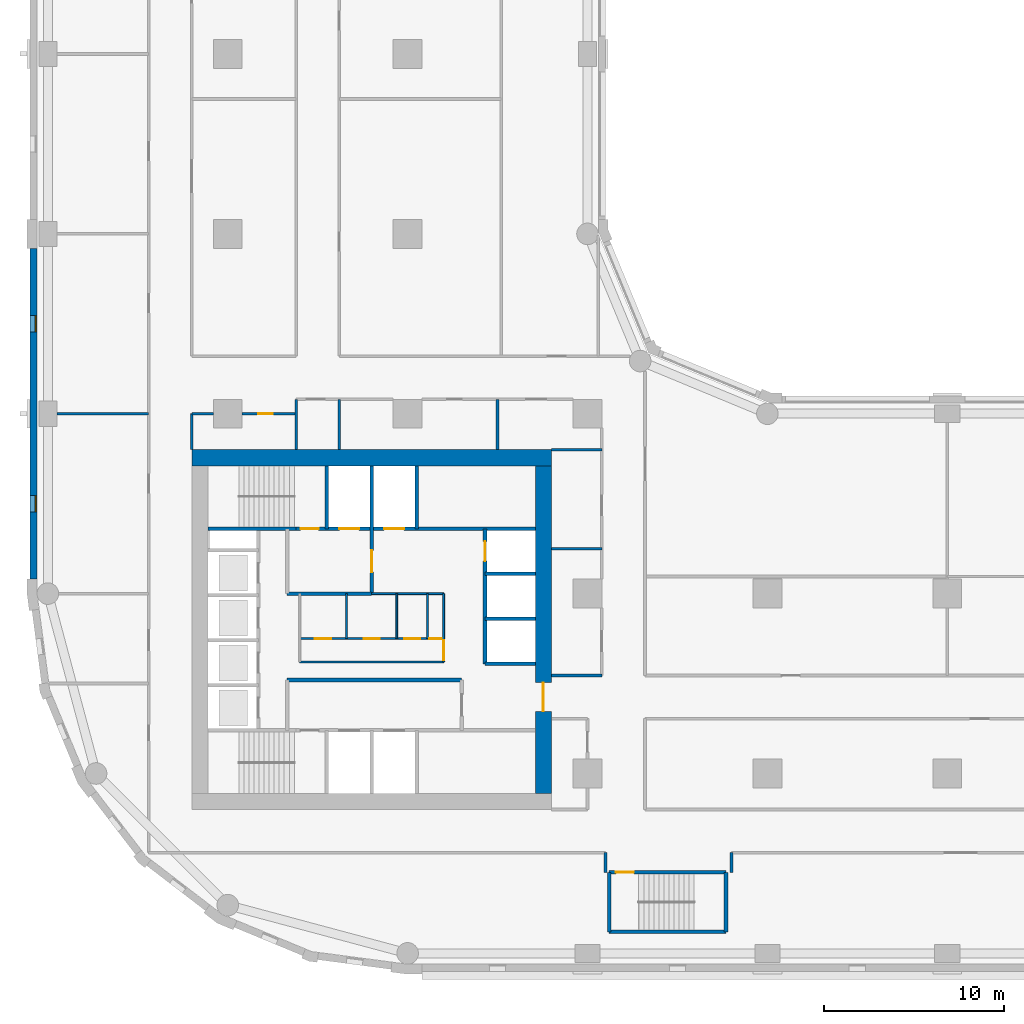
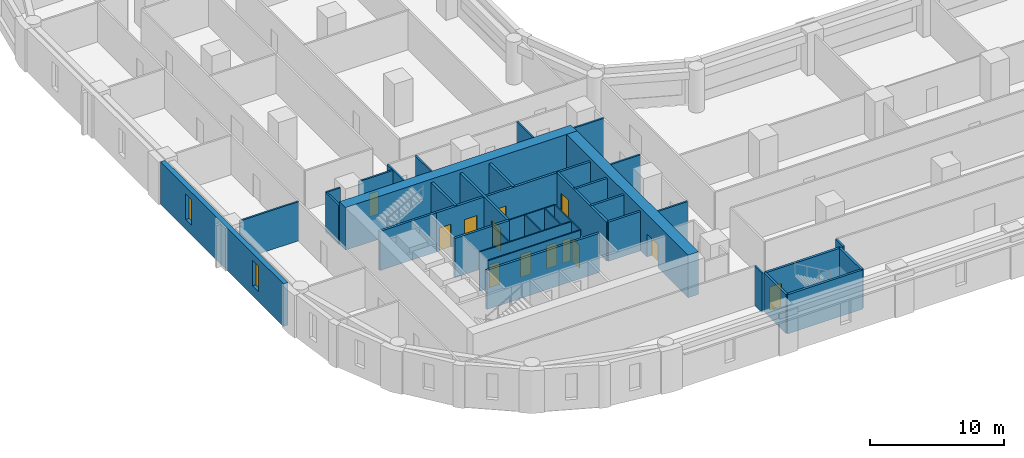
# One storey, part 3 of 10: 37 walls, 13 doors, 2 windows, 15 openings.
"""IFC4 building model written with IfcOpenShell, lengths in metres."""

from ifc_helpers import new_model, si_unit, direction, frame, frame_2d, origin, place, context, subcontext, project, spatial, rectangle, extrude, material, layer, layer_set, type_object, element, fill, save


model = new_model("IFC4")

# Units and contexts
model_context = context("Model", 3, precision=1e-05, world=origin(), true_north=direction((0.0, 1.0)))
body_context = subcontext(model_context, "Body", "Model", "MODEL_VIEW")
ifc_project = project(units=[si_unit("LENGTHUNIT", "METRE"), si_unit("AREAUNIT", "SQUARE_METRE"), si_unit("VOLUMEUNIT", "CUBIC_METRE"), si_unit("PLANEANGLEUNIT", "RADIAN"), si_unit("MASSUNIT", "GRAM", prefix="KILO")], contexts=[model_context])

# Site, building, storey
site_placement = place(None, origin())
site = spatial("IfcSite", under=ifc_project, at=site_placement, CompositionType="ELEMENT")
building_placement = place(site_placement, origin())
building = spatial("IfcBuilding", under=site, at=building_placement, Name="Qaws Garden Tower", CompositionType="ELEMENT")
storey_placement = place(building_placement, frame((0.0, 0.0, 12.0)))
storey = spatial("IfcBuildingStorey", under=building, at=storey_placement, Name="L02", CompositionType="ELEMENT", Elevation=12.0)

# Wall, openings, windows
ifc_material_1 = material(Name="Clay facing brick masonry", Category="masonry")
ifc_layer_1 = layer(ifc_material_1, 0.39990234375)
ifc_layer_set_1 = layer_set([ifc_layer_1], Name="Clay facing brick masonry")
wall_type_1 = type_object("IfcWallType", Name="Brick infill wall 400", PredefinedType="SOLIDWALL", material=ifc_layer_set_1)
wall_1_placement = place(storey_placement, frame((-0.800048828125, 39.199951171875, 0.0), z_axis=(0.0, 0.0, 1.0), x_axis=(0.0, -1.0, 0.0)))
wall_1 = element("IfcWall", 1, at=wall_1_placement, inside=storey, type_object=wall_type_1, Name="E-L02-infill-25", PredefinedType="SOLIDWALL", context=body_context, shape_type="SweptSolid", body=[
    extrude(rectangle(XDim=18.39990234375, YDim=0.39990234375, at=frame_2d((9.199951171875, 0.0))), origin(), (0.0, 0.0, 1.0), 3.89990234375),
])
opening_1_placement = place(wall_1_placement, frame((3.75, 0.0, 0.89990234375)))
opening_1 = element("IfcOpeningElement", 2, at=opening_1_placement, cuts=wall_1, Name="Opening W09", PredefinedType="OPENING", context=body_context, shape_type="SweptSolid", body=[
    extrude(rectangle(XDim=0.89990234375, YDim=2.35009765625, at=frame_2d((0.449951171875, 1.175048828125))), frame((0.0, 0.2099609375, 0.0), z_axis=(0.0, -1.0, 0.0), x_axis=(1.0, 0.0, 0.0)), (0.0, 0.0, 1.0), 0.419921875),
])
opening_2_placement = place(wall_1_placement, frame((13.75, 0.0, 0.89990234375)))
opening_2 = element("IfcOpeningElement", 3, at=opening_2_placement, cuts=wall_1, Name="Opening W09", PredefinedType="OPENING", context=body_context, shape_type="SweptSolid", body=[
    extrude(rectangle(XDim=0.89990234375, YDim=2.35009765625, at=frame_2d((0.449951171875, 1.175048828125))), frame((0.0, 0.2099609375, 0.0), z_axis=(0.0, -1.0, 0.0), x_axis=(1.0, 0.0, 0.0)), (0.0, 0.0, 1.0), 0.419921875),
])
ifc_material_2 = material(Name="Aluminium framed window, clear glazing", Category="aluminium")
window_type = type_object("IfcWindowType", Name="Slit window 900 x 2350", PartitioningType="SINGLE_PANEL", PredefinedType="WINDOW", material=ifc_material_2)
window_1_placement = place(opening_1_placement, origin())
window_1 = element("IfcWindow", 4, at=window_1_placement, inside=storey, type_object=window_type, Name="E-L02-window-25-0", OverallHeight=2.35009765625, OverallWidth=0.89990234375, PartitioningType="SINGLE_PANEL", PredefinedType="WINDOW", context=body_context, shape_type="SweptSolid", body=[
    extrude(rectangle(XDim=0.89990234375, YDim=2.35009765625, at=frame_2d((0.449951171875, 1.175048828125))), frame((0.0, 0.159912109375, 0.0), z_axis=(0.0, -1.0, 0.0), x_axis=(1.0, 0.0, 0.0)), (0.0, 0.0, 1.0), 0.06005859375),
])
fill(opening_1, window_1)
window_2_placement = place(opening_2_placement, origin())
window_2 = element("IfcWindow", 5, at=window_2_placement, inside=storey, type_object=window_type, Name="E-L02-window-26-0", OverallHeight=2.35009765625, OverallWidth=0.89990234375, PartitioningType="SINGLE_PANEL", PredefinedType="WINDOW", context=body_context, shape_type="SweptSolid", body=[
    extrude(rectangle(XDim=0.89990234375, YDim=2.35009765625, at=frame_2d((0.449951171875, 1.175048828125))), frame((0.0, 0.159912109375, 0.0), z_axis=(0.0, -1.0, 0.0), x_axis=(1.0, 0.0, 0.0)), (0.0, 0.0, 1.0), 0.06005859375),
])
fill(opening_2, window_2)

# Wall
ifc_material_3 = material(Name="Plasterboard")
ifc_layer_2 = layer(ifc_material_3, 0.10009765625)
ifc_layer_set_2 = layer_set([ifc_layer_2], Name="Plasterboard")
wall_type_2 = type_object("IfcWallType", Name="Core partition 100", PredefinedType="PARTITIONING", material=ifc_layer_set_2)
wall_2_placement = place(storey_placement, frame((14.0, 16.199951171875, 0.0), z_axis=(0.0, 0.0, 1.0), x_axis=(1.0, 0.0, 0.0)))
element("IfcWall", 6, at=wall_2_placement, inside=storey, type_object=wall_type_2, Name="Core partition", PredefinedType="PARTITIONING", context=body_context, shape_type="SweptSolid", body=[
    extrude(rectangle(XDim=8.0, YDim=0.10009765625, at=frame_2d((4.0, 0.0))), origin(), (0.0, 0.0, 1.0), 3.580078125),
])

# Wall, openings, doors
wall_3_placement = place(storey_placement, frame((14.0, 17.5, 0.0), z_axis=(0.0, 0.0, 1.0), x_axis=(1.0, 0.0, 0.0)))
wall_3 = element("IfcWall", 7, at=wall_3_placement, inside=storey, type_object=wall_type_2, Name="Core partition", PredefinedType="PARTITIONING", context=body_context, shape_type="SweptSolid", body=[
    extrude(rectangle(XDim=8.0, YDim=0.10009765625, at=frame_2d((4.0, 0.0))), origin(), (0.0, 0.0, 1.0), 3.580078125),
])
opening_3_placement = place(wall_3_placement, frame((0.85009765625, 0.0, 0.0)))
opening_3 = element("IfcOpeningElement", 8, at=opening_3_placement, cuts=wall_3, Name="Opening WD18", PredefinedType="OPENING", context=body_context, shape_type="SweptSolid", body=[
    extrude(rectangle(XDim=0.89990234375, YDim=2.10009765625, at=frame_2d((0.449951171875, 1.050048828125))), frame((0.0, 0.06005859375, 0.0), z_axis=(0.0, -1.0, 0.0), x_axis=(1.0, 0.0, 0.0)), (0.0, 0.0, 1.0), 0.1201171875),
])
opening_4_placement = place(wall_3_placement, frame((3.550048828125, 0.0, 0.0)))
opening_4 = element("IfcOpeningElement", 9, at=opening_4_placement, cuts=wall_3, Name="Opening WD19", PredefinedType="OPENING", context=body_context, shape_type="SweptSolid", body=[
    extrude(rectangle(XDim=0.89990234375, YDim=2.10009765625, at=frame_2d((0.449951171875, 1.050048828125))), frame((0.0, 0.06005859375, 0.0), z_axis=(0.0, -1.0, 0.0), x_axis=(1.0, 0.0, 0.0)), (0.0, 0.0, 1.0), 0.1201171875),
])
opening_5_placement = place(wall_3_placement, frame((5.800048828125, 0.0, 0.0)))
opening_5 = element("IfcOpeningElement", 10, at=opening_5_placement, cuts=wall_3, Name="Opening WD20", PredefinedType="OPENING", context=body_context, shape_type="SweptSolid", body=[
    extrude(rectangle(XDim=0.89990234375, YDim=2.10009765625, at=frame_2d((0.449951171875, 1.050048828125))), frame((0.0, 0.06005859375, 0.0), z_axis=(0.0, -1.0, 0.0), x_axis=(1.0, 0.0, 0.0)), (0.0, 0.0, 1.0), 0.1201171875),
])
opening_6_placement = place(wall_3_placement, frame((7.199951171875, 0.0, 0.0)))
opening_6 = element("IfcOpeningElement", 11, at=opening_6_placement, cuts=wall_3, Name="Opening XD21", PredefinedType="OPENING", context=body_context, shape_type="SweptSolid", body=[
    extrude(rectangle(XDim=0.699951171875, YDim=2.10009765625, at=frame_2d((0.35009765625, 1.050048828125))), frame((0.0, 0.06005859375, 0.0), z_axis=(0.0, -1.0, 0.0), x_axis=(1.0, 0.0, 0.0)), (0.0, 0.0, 1.0), 0.1201171875),
])
ifc_material_4 = material(Name="Timber", Category="wood")
door_type_1 = type_object("IfcDoorType", Name="Store door 700x2100", OperationType="SINGLE_SWING_LEFT", PredefinedType="DOOR", material=ifc_material_4)
door_1_placement = place(opening_6_placement, origin())
door_1 = element("IfcDoor", 12, at=door_1_placement, inside=storey, type_object=door_type_1, Name="Cleaner's store door", OperationType="SINGLE_SWING_RIGHT", OverallHeight=2.10009765625, OverallWidth=0.699951171875, PredefinedType="DOOR", context=body_context, shape_type="SweptSolid", body=[
    extrude(rectangle(XDim=0.699951171875, YDim=2.10009765625, at=frame_2d((0.35009765625, 1.050048828125))), frame((0.0, 0.02490234375, 0.0), z_axis=(0.0, -1.0, 0.0), x_axis=(1.0, 0.0, 0.0)), (0.0, 0.0, 1.0), 0.050048828125),
])
fill(opening_6, door_1)
ifc_material_5 = material(Name="Timber", Category="wood")
door_type_2 = type_object("IfcDoorType", Name="WC door 900x2100", OperationType="SINGLE_SWING_LEFT", PredefinedType="DOOR", material=ifc_material_5)
door_2_placement = place(opening_3_placement, origin())
door_2 = element("IfcDoor", 13, at=door_2_placement, inside=storey, type_object=door_type_2, Name="Men's WC door", OperationType="SINGLE_SWING_RIGHT", OverallHeight=2.10009765625, OverallWidth=0.89990234375, PredefinedType="DOOR", context=body_context, shape_type="SweptSolid", body=[
    extrude(rectangle(XDim=0.89990234375, YDim=2.10009765625, at=frame_2d((0.449951171875, 1.050048828125))), frame((0.0, 0.02490234375, 0.0), z_axis=(0.0, -1.0, 0.0), x_axis=(1.0, 0.0, 0.0)), (0.0, 0.0, 1.0), 0.050048828125),
])
fill(opening_3, door_2)
door_3_placement = place(opening_4_placement, origin())
door_3 = element("IfcDoor", 14, at=door_3_placement, inside=storey, type_object=door_type_2, Name="Women's WC door", OperationType="SINGLE_SWING_RIGHT", OverallHeight=2.10009765625, OverallWidth=0.89990234375, PredefinedType="DOOR", context=body_context, shape_type="SweptSolid", body=[
    extrude(rectangle(XDim=0.89990234375, YDim=2.10009765625, at=frame_2d((0.449951171875, 1.050048828125))), frame((0.0, 0.02490234375, 0.0), z_axis=(0.0, -1.0, 0.0), x_axis=(1.0, 0.0, 0.0)), (0.0, 0.0, 1.0), 0.050048828125),
])
fill(opening_4, door_3)
door_4_placement = place(opening_5_placement, origin())
door_4 = element("IfcDoor", 15, at=door_4_placement, inside=storey, type_object=door_type_2, Name="Accessible WC door", OperationType="SINGLE_SWING_RIGHT", OverallHeight=2.10009765625, OverallWidth=0.89990234375, PredefinedType="DOOR", context=body_context, shape_type="SweptSolid", body=[
    extrude(rectangle(XDim=0.89990234375, YDim=2.10009765625, at=frame_2d((0.449951171875, 1.050048828125))), frame((0.0, 0.02490234375, 0.0), z_axis=(0.0, -1.0, 0.0), x_axis=(1.0, 0.0, 0.0)), (0.0, 0.0, 1.0), 0.050048828125),
])
fill(opening_5, door_4)

# Walls
wall_4_placement = place(storey_placement, frame((18.0, 20.0, 0.0), z_axis=(0.0, 0.0, 1.0), x_axis=(1.0, 0.0, 0.0)))
element("IfcWall", 16, at=wall_4_placement, inside=storey, type_object=wall_type_2, Name="Core partition", PredefinedType="PARTITIONING", context=body_context, shape_type="SweptSolid", body=[
    extrude(rectangle(XDim=4.0, YDim=0.10009765625, at=frame_2d((2.0, 0.0))), origin(), (0.0, 0.0, 1.0), 3.580078125),
])
for number, where, z_axis, x_axis, name in (
    (17, (16.60009765625, 17.5, 0.0), (0.0, 0.0, 1.0), (0.0, 1.0, 0.0), "Core partition"),
    (18, (19.39990234375, 17.5, 0.0), (0.0, 0.0, 1.0), (0.0, 1.0, 0.0), "Core partition"),
    (19, (21.10009765625, 17.5, 0.0), (0.0, 0.0, 1.0), (0.0, 1.0, 0.0), "Core partition"),
):
    element("IfcWall", number, at=place(storey_placement, frame(where, z_axis=z_axis, x_axis=x_axis)), inside=storey, type_object=wall_type_2, Name=name, PredefinedType="PARTITIONING", context=body_context, shape_type="SweptSolid", body=[
        extrude(rectangle(XDim=2.5, YDim=0.10009765625, at=frame_2d((1.25, 0.0))), origin(), (0.0, 0.0, 1.0), 3.580078125),
    ])

# Wall, opening, door
wall_5_placement = place(storey_placement, frame((22.0, 16.199951171875, 0.0), z_axis=(0.0, 0.0, 1.0), x_axis=(0.0, 1.0, 0.0)))
wall_5 = element("IfcWall", 20, at=wall_5_placement, inside=storey, type_object=wall_type_2, Name="Core partition", PredefinedType="PARTITIONING", context=body_context, shape_type="SweptSolid", body=[
    extrude(rectangle(XDim=3.800048828125, YDim=0.10009765625, at=frame_2d((1.89990234375, 0.0))), origin(), (0.0, 0.0, 1.0), 3.580078125),
])
opening_7_placement = place(wall_5_placement, frame((0.10009765625, 0.0, 0.0)))
opening_7 = element("IfcOpeningElement", 21, at=opening_7_placement, cuts=wall_5, Name="Opening WL17", PredefinedType="OPENING", context=body_context, shape_type="SweptSolid", body=[
    extrude(rectangle(XDim=1.10009765625, YDim=2.10009765625, at=frame_2d((0.550048828125, 1.050048828125))), frame((0.0, 0.06005859375, 0.0), z_axis=(0.0, -1.0, 0.0), x_axis=(1.0, 0.0, 0.0)), (0.0, 0.0, 1.0), 0.1201171875),
])
ifc_material_6 = material(Name="Timber", Category="wood")
door_type_3 = type_object("IfcDoorType", Name="WC lobby door 1100x2100", OperationType="SINGLE_SWING_LEFT", PredefinedType="DOOR", material=ifc_material_6)
door_5_placement = place(opening_7_placement, origin())
door_5 = element("IfcDoor", 22, at=door_5_placement, inside=storey, type_object=door_type_3, Name="WC lobby door", OperationType="SINGLE_SWING_RIGHT", OverallHeight=2.10009765625, OverallWidth=1.10009765625, PredefinedType="DOOR", context=body_context, shape_type="SweptSolid", body=[
    extrude(rectangle(XDim=1.10009765625, YDim=2.10009765625, at=frame_2d((0.550048828125, 1.050048828125))), frame((0.0, 0.02490234375, 0.0), z_axis=(0.0, -1.0, 0.0), x_axis=(1.0, 0.0, 0.0)), (0.0, 0.0, 1.0), 0.050048828125),
])
fill(opening_7, door_5)

# Wall
ifc_material_7 = material(Name="Concrete C80", Category="concrete")
ifc_layer_3 = layer(ifc_material_7, 0.199951171875)
ifc_layer_set_3 = layer_set([ifc_layer_3], Name="Concrete C80")
wall_type_3 = type_object("IfcWallType", Name="Core shaft wall 200 C80", PredefinedType="SHEAR", material=ifc_layer_set_3)
wall_6_placement = place(storey_placement, frame((31.199951171875, 1.199951171875, 0.0), z_axis=(0.0, 0.0, 1.0), x_axis=(1.0, 0.0, 0.0)))
element("IfcWall", 23, at=wall_6_placement, inside=storey, type_object=wall_type_3, Name="Shaft wall", PredefinedType="SHEAR", context=body_context, shape_type="SweptSolid", body=[
    extrude(rectangle(XDim=6.5, YDim=0.199951171875, at=frame_2d((3.25, 0.0))), origin(), (0.0, 0.0, 1.0), 3.580078125),
])

# Wall, opening, door
wall_7_placement = place(storey_placement, frame((31.199951171875, 4.5, 0.0), z_axis=(0.0, 0.0, 1.0), x_axis=(1.0, 0.0, 0.0)))
wall_7 = element("IfcWall", 24, at=wall_7_placement, inside=storey, type_object=wall_type_3, Name="Shaft wall", PredefinedType="SHEAR", context=body_context, shape_type="SweptSolid", body=[
    extrude(rectangle(XDim=6.5, YDim=0.199951171875, at=frame_2d((3.25, 0.0))), origin(), (0.0, 0.0, 1.0), 3.580078125),
])
opening_8_placement = place(wall_7_placement, frame((0.375, 0.0, 0.0)))
opening_8 = element("IfcOpeningElement", 25, at=opening_8_placement, cuts=wall_7, Name="Opening SD12", PredefinedType="OPENING", context=body_context, shape_type="SweptSolid", body=[
    extrude(rectangle(XDim=1.0, YDim=2.10009765625, at=frame_2d((0.5, 1.050048828125))), frame((0.0, 0.10986328125, 0.0), z_axis=(0.0, -1.0, 0.0), x_axis=(1.0, 0.0, 0.0)), (0.0, 0.0, 1.0), 0.219970703125),
])
ifc_material_8 = material(Name="Steel S235", Category="steel")
door_type_4 = type_object("IfcDoorType", Name="Stair door 1000x2100", OperationType="SINGLE_SWING_RIGHT", PredefinedType="DOOR", material=ifc_material_8)
door_6_placement = place(opening_8_placement, frame((1.0, 0.0, 0.0), z_axis=(0.0, 0.0, 1.0), x_axis=(-1.0, 0.0, 0.0)))
door_6 = element("IfcDoor", 26, at=door_6_placement, inside=storey, type_object=door_type_4, Name="Stair 5 door", OperationType="SINGLE_SWING_RIGHT", OverallHeight=2.10009765625, OverallWidth=1.0, PredefinedType="DOOR", context=body_context, shape_type="SweptSolid", body=[
    extrude(rectangle(XDim=1.0, YDim=2.10009765625, at=frame_2d((0.5, 1.050048828125))), frame((0.0, 0.02490234375, 0.0), z_axis=(0.0, -1.0, 0.0), x_axis=(1.0, 0.0, 0.0)), (0.0, 0.0, 1.0), 0.050048828125),
])
fill(opening_8, door_6)

# Walls
wall_8_placement = place(storey_placement, frame((13.300048828125, 15.199951171875, 0.0), z_axis=(0.0, 0.0, 1.0), x_axis=(1.0, 0.0, 0.0)))
element("IfcWall", 27, at=wall_8_placement, inside=storey, type_object=wall_type_3, Name="Shaft wall", PredefinedType="SHEAR", context=body_context, shape_type="SweptSolid", body=[
    extrude(rectangle(XDim=9.699951171875, YDim=0.199951171875, at=frame_2d((4.85009765625, 0.0))), origin(), (0.0, 0.0, 1.0), 3.580078125),
])
for number, where, z_axis, x_axis, name in (
    (28, (24.300048828125, 16.10009765625, 0.0), (0.0, 0.0, 1.0), (1.0, 0.0, 0.0), "Shaft wall"),
    (29, (24.300048828125, 18.60009765625, 0.0), (0.0, 0.0, 1.0), (1.0, 0.0, 0.0), "Shaft wall"),
):
    element("IfcWall", number, at=place(storey_placement, frame(where, z_axis=z_axis, x_axis=x_axis)), inside=storey, type_object=wall_type_3, Name=name, PredefinedType="SHEAR", context=body_context, shape_type="SweptSolid", body=[
        extrude(rectangle(XDim=2.800048828125, YDim=0.199951171875, at=frame_2d((1.39990234375, 0.0))), origin(), (0.0, 0.0, 1.0), 3.580078125),
    ])
wall_9_placement = place(storey_placement, frame((13.300048828125, 20.0, 0.0), z_axis=(0.0, 0.0, 1.0), x_axis=(1.0, 0.0, 0.0)))
element("IfcWall", 30, at=wall_9_placement, inside=storey, type_object=wall_type_3, Name="Shaft wall", PredefinedType="SHEAR", context=body_context, shape_type="SweptSolid", body=[
    extrude(rectangle(XDim=4.699951171875, YDim=0.199951171875, at=frame_2d((2.35009765625, 0.0))), origin(), (0.0, 0.0, 1.0), 3.580078125),
])
wall_10_placement = place(storey_placement, frame((24.300048828125, 21.10009765625, 0.0), z_axis=(0.0, 0.0, 1.0), x_axis=(1.0, 0.0, 0.0)))
element("IfcWall", 31, at=wall_10_placement, inside=storey, type_object=wall_type_3, Name="Shaft wall", PredefinedType="SHEAR", context=body_context, shape_type="SweptSolid", body=[
    extrude(rectangle(XDim=2.800048828125, YDim=0.199951171875, at=frame_2d((1.39990234375, 0.0))), origin(), (0.0, 0.0, 1.0), 3.580078125),
])
wall_11_placement = place(storey_placement, frame((8.89990234375, 23.60009765625, 0.0), z_axis=(0.0, 0.0, 1.0), x_axis=(1.0, 0.0, 0.0)))
element("IfcWall", 32, at=wall_11_placement, inside=storey, type_object=wall_type_3, Name="Shaft wall", PredefinedType="SHEAR", context=body_context, shape_type="SweptSolid", body=[
    extrude(rectangle(XDim=4.900146484375, YDim=0.199951171875, at=frame_2d((2.4501953125, 0.0))), origin(), (0.0, 0.0, 1.0), 3.580078125),
])

# Wall, openings, doors
wall_12_placement = place(storey_placement, frame((13.800048828125, 23.60009765625, 0.0), z_axis=(0.0, 0.0, 1.0), x_axis=(1.0, 0.0, 0.0)))
wall_12 = element("IfcWall", 33, at=wall_12_placement, inside=storey, type_object=wall_type_3, Name="Shaft wall", PredefinedType="SHEAR", context=body_context, shape_type="SweptSolid", body=[
    extrude(rectangle(XDim=13.300048828125, YDim=0.199951171875, at=frame_2d((6.64990234375, 0.0))), origin(), (0.0, 0.0, 1.0), 3.580078125),
])
opening_9_placement = place(wall_12_placement, frame((2.39990234375, 0.0, 0.0)))
opening_9 = element("IfcOpeningElement", 34, at=opening_9_placement, cuts=wall_12, Name="Opening LD08", PredefinedType="OPENING", context=body_context, shape_type="SweptSolid", body=[
    extrude(rectangle(XDim=1.10009765625, YDim=2.10009765625, at=frame_2d((0.550048828125, 1.050048828125))), frame((0.0, 0.10986328125, 0.0), z_axis=(0.0, -1.0, 0.0), x_axis=(1.0, 0.0, 0.0)), (0.0, 0.0, 1.0), 0.219970703125),
])
opening_10_placement = place(wall_12_placement, frame((4.89990234375, 0.0, 0.0)))
opening_10 = element("IfcOpeningElement", 35, at=opening_10_placement, cuts=wall_12, Name="Opening LD09", PredefinedType="OPENING", context=body_context, shape_type="SweptSolid", body=[
    extrude(rectangle(XDim=1.10009765625, YDim=2.10009765625, at=frame_2d((0.550048828125, 1.050048828125))), frame((0.0, 0.10986328125, 0.0), z_axis=(0.0, -1.0, 0.0), x_axis=(1.0, 0.0, 0.0)), (0.0, 0.0, 1.0), 0.219970703125),
])
opening_11_placement = place(wall_12_placement, frame((0.25, 0.0, 0.0)))
opening_11 = element("IfcOpeningElement", 36, at=opening_11_placement, cuts=wall_12, Name="Opening SD11", PredefinedType="OPENING", context=body_context, shape_type="SweptSolid", body=[
    extrude(rectangle(XDim=1.0, YDim=2.10009765625, at=frame_2d((0.5, 1.050048828125))), frame((0.0, 0.10986328125, 0.0), z_axis=(0.0, -1.0, 0.0), x_axis=(1.0, 0.0, 0.0)), (0.0, 0.0, 1.0), 0.219970703125),
])
ifc_material_9 = material(Name="Steel S235", Category="steel")
door_type_5 = type_object("IfcDoorType", Name="Landing door 1100x2100", OperationType="DOUBLE_DOOR_SLIDING", PredefinedType="DOOR", material=ifc_material_9)
door_7_placement = place(opening_9_placement, origin())
door_7 = element("IfcDoor", 37, at=door_7_placement, inside=storey, type_object=door_type_5, Name="Lift FF3 landing door", OperationType="DOUBLE_DOOR_SLIDING", OverallHeight=2.10009765625, OverallWidth=1.10009765625, PredefinedType="DOOR", context=body_context, shape_type="SweptSolid", body=[
    extrude(rectangle(XDim=1.10009765625, YDim=2.10009765625, at=frame_2d((0.550048828125, 1.050048828125))), frame((0.0, 0.02490234375, 0.0), z_axis=(0.0, -1.0, 0.0), x_axis=(1.0, 0.0, 0.0)), (0.0, 0.0, 1.0), 0.050048828125),
])
fill(opening_9, door_7)
door_8_placement = place(opening_10_placement, origin())
door_8 = element("IfcDoor", 38, at=door_8_placement, inside=storey, type_object=door_type_5, Name="Lift SV2 landing door", OperationType="DOUBLE_DOOR_SLIDING", OverallHeight=2.10009765625, OverallWidth=1.10009765625, PredefinedType="DOOR", context=body_context, shape_type="SweptSolid", body=[
    extrude(rectangle(XDim=1.10009765625, YDim=2.10009765625, at=frame_2d((0.550048828125, 1.050048828125))), frame((0.0, 0.02490234375, 0.0), z_axis=(0.0, -1.0, 0.0), x_axis=(1.0, 0.0, 0.0)), (0.0, 0.0, 1.0), 0.050048828125),
])
fill(opening_10, door_8)
door_9_placement = place(opening_11_placement, origin())
door_9 = element("IfcDoor", 39, at=door_9_placement, inside=storey, type_object=door_type_4, Name="Stair 4 door", OperationType="SINGLE_SWING_RIGHT", OverallHeight=2.10009765625, OverallWidth=1.0, PredefinedType="DOOR", context=body_context, shape_type="SweptSolid", body=[
    extrude(rectangle(XDim=1.0, YDim=2.10009765625, at=frame_2d((0.5, 1.050048828125))), frame((0.0, 0.02490234375, 0.0), z_axis=(0.0, -1.0, 0.0), x_axis=(1.0, 0.0, 0.0)), (0.0, 0.0, 1.0), 0.050048828125),
])
fill(opening_11, door_9)

# Wall
wall_13_placement = place(storey_placement, frame((15.5, 23.60009765625, 0.0), z_axis=(0.0, 0.0, 1.0), x_axis=(0.0, 1.0, 0.0)))
element("IfcWall", 40, at=wall_13_placement, inside=storey, type_object=wall_type_3, Name="Shaft wall", PredefinedType="SHEAR", context=body_context, shape_type="SweptSolid", body=[
    extrude(rectangle(XDim=3.5, YDim=0.199951171875, at=frame_2d((1.75, 0.0))), origin(), (0.0, 0.0, 1.0), 3.580078125),
])

# Wall, opening, door
wall_14_placement = place(storey_placement, frame((18.0, 20.0, 0.0), z_axis=(0.0, 0.0, 1.0), x_axis=(0.0, 1.0, 0.0)))
wall_14 = element("IfcWall", 41, at=wall_14_placement, inside=storey, type_object=wall_type_3, Name="Shaft wall", PredefinedType="SHEAR", context=body_context, shape_type="SweptSolid", body=[
    extrude(rectangle(XDim=7.10009765625, YDim=0.199951171875, at=frame_2d((3.550048828125, 0.0))), origin(), (0.0, 0.0, 1.0), 3.580078125),
])
opening_12_placement = place(wall_14_placement, frame((1.199951171875, 0.0, 0.0)))
opening_12 = element("IfcOpeningElement", 42, at=opening_12_placement, cuts=wall_14, Name="Opening FD16", PredefinedType="OPENING", context=body_context, shape_type="SweptSolid", body=[
    extrude(rectangle(XDim=1.199951171875, YDim=2.10009765625, at=frame_2d((0.60009765625, 1.050048828125))), frame((0.0, 0.10986328125, 0.0), z_axis=(0.0, -1.0, 0.0), x_axis=(1.0, 0.0, 0.0)), (0.0, 0.0, 1.0), 0.219970703125),
])
ifc_material_10 = material(Name="Steel S235", Category="steel")
door_type_6 = type_object("IfcDoorType", Name="Lobby door 1200x2100", OperationType="DOUBLE_DOOR_SINGLE_SWING", PredefinedType="DOOR", material=ifc_material_10)
door_10_placement = place(opening_12_placement, origin())
door_10 = element("IfcDoor", 43, at=door_10_placement, inside=storey, type_object=door_type_6, Name="Fire-fighting lobby door", OperationType="DOUBLE_DOOR_SINGLE_SWING", OverallHeight=2.10009765625, OverallWidth=1.199951171875, PredefinedType="DOOR", context=body_context, shape_type="SweptSolid", body=[
    extrude(rectangle(XDim=1.199951171875, YDim=2.10009765625, at=frame_2d((0.60009765625, 1.050048828125))), frame((0.0, 0.02490234375, 0.0), z_axis=(0.0, -1.0, 0.0), x_axis=(1.0, 0.0, 0.0)), (0.0, 0.0, 1.0), 0.050048828125),
])
fill(opening_12, door_10)

# Wall
wall_15_placement = place(storey_placement, frame((20.5, 23.60009765625, 0.0), z_axis=(0.0, 0.0, 1.0), x_axis=(0.0, 1.0, 0.0)))
element("IfcWall", 44, at=wall_15_placement, inside=storey, type_object=wall_type_3, Name="Shaft wall", PredefinedType="SHEAR", context=body_context, shape_type="SweptSolid", body=[
    extrude(rectangle(XDim=3.5, YDim=0.199951171875, at=frame_2d((1.75, 0.0))), origin(), (0.0, 0.0, 1.0), 3.580078125),
])

# Wall, opening, door
wall_16_placement = place(storey_placement, frame((24.300048828125, 16.10009765625, 0.0), z_axis=(0.0, 0.0, 1.0), x_axis=(0.0, 1.0, 0.0)))
wall_16 = element("IfcWall", 45, at=wall_16_placement, inside=storey, type_object=wall_type_3, Name="Shaft wall", PredefinedType="SHEAR", context=body_context, shape_type="SweptSolid", body=[
    extrude(rectangle(XDim=7.5, YDim=0.199951171875, at=frame_2d((3.75, 0.0))), origin(), (0.0, 0.0, 1.0), 3.580078125),
])
opening_13_placement = place(wall_16_placement, frame((5.699951171875, 0.0, 0.0)))
opening_13 = element("IfcOpeningElement", 46, at=opening_13_placement, cuts=wall_16, Name="Opening LD05", PredefinedType="OPENING", context=body_context, shape_type="SweptSolid", body=[
    extrude(rectangle(XDim=1.10009765625, YDim=2.10009765625, at=frame_2d((0.550048828125, 1.050048828125))), frame((0.0, 0.10986328125, 0.0), z_axis=(0.0, -1.0, 0.0), x_axis=(1.0, 0.0, 0.0)), (0.0, 0.0, 1.0), 0.219970703125),
])
door_11_placement = place(opening_13_placement, origin())
door_11 = element("IfcDoor", 47, at=door_11_placement, inside=storey, type_object=door_type_5, Name="Lift E3 landing door", OperationType="DOUBLE_DOOR_SLIDING", OverallHeight=2.10009765625, OverallWidth=1.10009765625, PredefinedType="DOOR", context=body_context, shape_type="SweptSolid", body=[
    extrude(rectangle(XDim=1.10009765625, YDim=2.10009765625, at=frame_2d((0.550048828125, 1.050048828125))), frame((0.0, 0.02490234375, 0.0), z_axis=(0.0, -1.0, 0.0), x_axis=(1.0, 0.0, 0.0)), (0.0, 0.0, 1.0), 0.050048828125),
])
fill(opening_13, door_11)

# Walls
for number, where, z_axis, x_axis, name in (
    (48, (31.199951171875, 1.199951171875, 0.0), (0.0, 0.0, 1.0), (0.0, 1.0, 0.0), "Shaft wall"),
    (49, (37.699951171875, 1.199951171875, 0.0), (0.0, 0.0, 1.0), (0.0, 1.0, 0.0), "Shaft wall"),
):
    element("IfcWall", number, at=place(storey_placement, frame(where, z_axis=z_axis, x_axis=x_axis)), inside=storey, type_object=wall_type_3, Name=name, PredefinedType="SHEAR", context=body_context, shape_type="SweptSolid", body=[
        extrude(rectangle(XDim=3.300048828125, YDim=0.199951171875, at=frame_2d((1.64990234375, 0.0))), origin(), (0.0, 0.0, 1.0), 3.580078125),
    ])

# Wall, opening, door
ifc_material_11 = material(Name="Concrete C80", Category="concrete")
ifc_layer_4 = layer(ifc_material_11, 0.89990234375)
ifc_layer_set_4 = layer_set([ifc_layer_4], Name="Concrete C80")
wall_type_4 = type_object("IfcWallType", Name="Core wall 900 C80", PredefinedType="SHEAR", material=ifc_layer_set_4)
wall_17_placement = place(storey_placement, frame((27.550048828125, 8.89990234375, 0.0), z_axis=(0.0, 0.0, 1.0), x_axis=(0.0, 1.0, 0.0)))
wall_17 = element("IfcWall", 50, at=wall_17_placement, inside=storey, type_object=wall_type_4, Name="Core wall L02 east", PredefinedType="SHEAR", context=body_context, shape_type="SweptSolid", body=[
    extrude(rectangle(XDim=18.2001953125, YDim=0.89990234375, at=frame_2d((9.10009765625, 0.0))), origin(), (0.0, 0.0, 1.0), 3.89990234375),
])
opening_14_placement = place(wall_17_placement, frame((4.550048828125, 0.0, 0.0)))
opening_14 = element("IfcOpeningElement", 51, at=opening_14_placement, cuts=wall_17, Name="Opening ED22", PredefinedType="OPENING", context=body_context, shape_type="SweptSolid", body=[
    extrude(rectangle(XDim=1.60009765625, YDim=2.10009765625, at=frame_2d((0.800048828125, 1.050048828125))), frame((0.0, 0.4599609375, 0.0), z_axis=(0.0, -1.0, 0.0), x_axis=(1.0, 0.0, 0.0)), (0.0, 0.0, 1.0), 0.919921875),
])
ifc_material_12 = material(Name="Steel S235", Category="steel")
door_type_7 = type_object("IfcDoorType", Name="Core entrance door 1600x2100", OperationType="DOUBLE_DOOR_SINGLE_SWING", PredefinedType="DOOR", material=ifc_material_12)
door_12_placement = place(opening_14_placement, origin())
door_12 = element("IfcDoor", 52, at=door_12_placement, inside=storey, type_object=door_type_7, Name="Core entrance door", OperationType="DOUBLE_DOOR_SINGLE_SWING", OverallHeight=2.10009765625, OverallWidth=1.60009765625, PredefinedType="DOOR", context=body_context, shape_type="SweptSolid", body=[
    extrude(rectangle(XDim=1.60009765625, YDim=2.10009765625, at=frame_2d((0.800048828125, 1.050048828125))), frame((0.0, 0.02490234375, 0.0), z_axis=(0.0, -1.0, 0.0), x_axis=(1.0, 0.0, 0.0)), (0.0, 0.0, 1.0), 0.050048828125),
])
fill(opening_14, door_12)

# Walls
wall_18_placement = place(storey_placement, frame((28.0, 27.550048828125, 0.0), z_axis=(0.0, 0.0, 1.0), x_axis=(-1.0, 0.0, 0.0)))
element("IfcWall", 53, at=wall_18_placement, inside=storey, type_object=wall_type_4, Name="Core wall L02 north", PredefinedType="SHEAR", context=body_context, shape_type="SweptSolid", body=[
    extrude(rectangle(XDim=20.0, YDim=0.89990234375, at=frame_2d((10.0, 0.0))), origin(), (0.0, 0.0, 1.0), 3.89990234375),
])
ifc_material_13 = material(Name="Gypsum board partition")
ifc_layer_5 = layer(ifc_material_13, 0.14990234375)
ifc_layer_set_5 = layer_set([ifc_layer_5], Name="Gypsum board partition")
wall_type_5 = type_object("IfcWallType", Name="PARTITION 150 EI 60", PredefinedType="PARTITIONING", material=ifc_layer_set_5)
wall_19_placement = place(storey_placement, frame((8.0, 28.0, 0.0), z_axis=(0.0, 0.0, 1.0), x_axis=(0.0, 1.0, 0.0)))
element("IfcWall", 54, at=wall_19_placement, inside=storey, type_object=wall_type_5, Name="O-L02-wall-003", PredefinedType="PARTITIONING", context=body_context, shape_type="SweptSolid", body=[
    extrude(rectangle(XDim=2.0, YDim=0.14990234375, at=frame_2d((1.0, 0.0))), origin(), (0.0, 0.0, 1.0), 3.580078125),
])
for number, where, z_axis, x_axis, name in (
    (55, (13.800048828125, 28.0, 0.0), (0.0, 0.0, 1.0), (0.0, 1.0, 0.0), "O-L02-wall-006"),
    (56, (16.199951171875, 28.0, 0.0), (0.0, 0.0, 1.0), (0.0, 1.0, 0.0), "O-L02-wall-008"),
    (57, (25.0, 28.0, 0.0), (0.0, 0.0, 1.0), (0.0, 1.0, 0.0), "O-L02-wall-011"),
):
    element("IfcWall", number, at=place(storey_placement, frame(where, z_axis=z_axis, x_axis=x_axis)), inside=storey, type_object=wall_type_5, Name=name, PredefinedType="PARTITIONING", context=body_context, shape_type="SweptSolid", body=[
        extrude(rectangle(XDim=2.800048828125, YDim=0.14990234375, at=frame_2d((1.39990234375, 0.0))), origin(), (0.0, 0.0, 1.0), 3.580078125),
    ])
for number, where, z_axis, x_axis, name in (
    (58, (31.0, 4.5, 0.0), (0.0, 0.0, 1.0), (0.0, 1.0, 0.0), "O-L02-wall-019"),
    (59, (38.0, 4.5, 0.0), (0.0, 0.0, 1.0), (0.0, 1.0, 0.0), "O-L02-wall-022"),
):
    element("IfcWall", number, at=place(storey_placement, frame(where, z_axis=z_axis, x_axis=x_axis)), inside=storey, type_object=wall_type_5, Name=name, PredefinedType="PARTITIONING", context=body_context, shape_type="SweptSolid", body=[
        extrude(rectangle(XDim=1.10009765625, YDim=0.14990234375, at=frame_2d((0.550048828125, 0.0))), origin(), (0.0, 0.0, 1.0), 3.580078125),
    ])
for number, where, z_axis, x_axis, name in (
    (60, (28.0, 15.449951171875, 0.0), (0.0, 0.0, 1.0), (1.0, 0.0, 0.0), "O-L02-wall-035"),
    (61, (28.0, 22.5, 0.0), (0.0, 0.0, 1.0), (1.0, 0.0, 0.0), "O-L02-wall-040"),
    (62, (28.0, 28.0, 0.0), (0.0, 0.0, 1.0), (1.0, 0.0, 0.0), "O-L02-wall-041"),
):
    element("IfcWall", number, at=place(storey_placement, frame(where, z_axis=z_axis, x_axis=x_axis)), inside=storey, type_object=wall_type_5, Name=name, PredefinedType="PARTITIONING", context=body_context, shape_type="SweptSolid", body=[
        extrude(rectangle(XDim=2.800048828125, YDim=0.14990234375, at=frame_2d((1.39990234375, 0.0))), origin(), (0.0, 0.0, 1.0), 3.580078125),
    ])
wall_20_placement = place(storey_placement, frame((0.5, 30.0, 0.0), z_axis=(0.0, 0.0, 1.0), x_axis=(1.0, 0.0, 0.0)))
element("IfcWall", 63, at=wall_20_placement, inside=storey, type_object=wall_type_5, Name="O-L02-wall-042", PredefinedType="PARTITIONING", context=body_context, shape_type="SweptSolid", body=[
    extrude(rectangle(XDim=5.10009765625, YDim=0.14990234375, at=frame_2d((2.550048828125, 0.0))), origin(), (0.0, 0.0, 1.0), 3.580078125),
])
wall_21_placement = place(storey_placement, frame((8.0, 30.0, 0.0), z_axis=(0.0, 0.0, 1.0), x_axis=(1.0, 0.0, 0.0)))
element("IfcWall", 64, at=wall_21_placement, inside=storey, type_object=wall_type_5, Name="O-L02-wall-043", PredefinedType="PARTITIONING", context=body_context, shape_type="SweptSolid", body=[
    extrude(rectangle(XDim=1.199951171875, YDim=0.14990234375, at=frame_2d((0.60009765625, 0.0))), origin(), (0.0, 0.0, 1.0), 3.580078125),
])

# Wall, opening, door
wall_22_placement = place(storey_placement, frame((10.800048828125, 30.0, 0.0), z_axis=(0.0, 0.0, 1.0), x_axis=(1.0, 0.0, 0.0)))
wall_22 = element("IfcWall", 65, at=wall_22_placement, inside=storey, type_object=wall_type_5, Name="O-L02-wall-044", PredefinedType="PARTITIONING", context=body_context, shape_type="SweptSolid", body=[
    extrude(rectangle(XDim=3.0, YDim=0.14990234375, at=frame_2d((1.5, 0.0))), origin(), (0.0, 0.0, 1.0), 3.580078125),
])
opening_15_placement = place(wall_22_placement, frame((0.89990234375, 0.0, 0.0)))
opening_15 = element("IfcOpeningElement", 66, at=opening_15_placement, cuts=wall_22, Name="Opening A107", PredefinedType="OPENING", context=body_context, shape_type="SweptSolid", body=[
    extrude(rectangle(XDim=0.800048828125, YDim=2.10009765625, at=frame_2d((0.39990234375, 1.050048828125))), frame((0.0, 0.0849609375, 0.0), z_axis=(0.0, -1.0, 0.0), x_axis=(1.0, 0.0, 0.0)), (0.0, 0.0, 1.0), 0.169921875),
])
ifc_material_14 = material(Name="Timber door leaf", Category="wood")
door_type_8 = type_object("IfcDoorType", Name="STORE DOOR 800 X 2100", OperationType="SINGLE_SWING_LEFT", PredefinedType="DOOR", material=ifc_material_14)
door_13_placement = place(opening_15_placement, frame((0.800048828125, 0.0, 0.0), z_axis=(0.0, 0.0, 1.0), x_axis=(-1.0, 0.0, 0.0)))
door_13 = element("IfcDoor", 67, at=door_13_placement, inside=storey, type_object=door_type_8, Name="O-L02-door-007", OperationType="SINGLE_SWING_RIGHT", OverallHeight=2.10009765625, OverallWidth=0.800048828125, PredefinedType="DOOR", context=body_context, shape_type="SweptSolid", body=[
    extrude(rectangle(XDim=0.800048828125, YDim=2.10009765625, at=frame_2d((0.39990234375, 1.050048828125))), frame((0.0, 0.02490234375, 0.0), z_axis=(0.0, -1.0, 0.0), x_axis=(1.0, 0.0, 0.0)), (0.0, 0.0, 1.0), 0.050048828125),
])
fill(opening_15, door_13)

save(model, "model.ifc")
